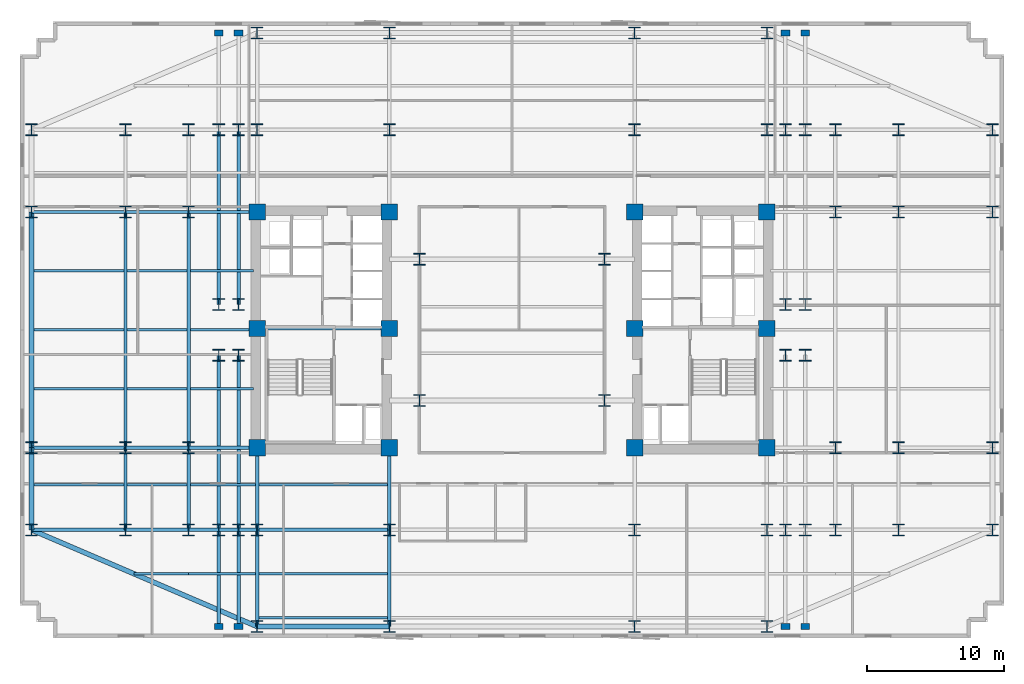
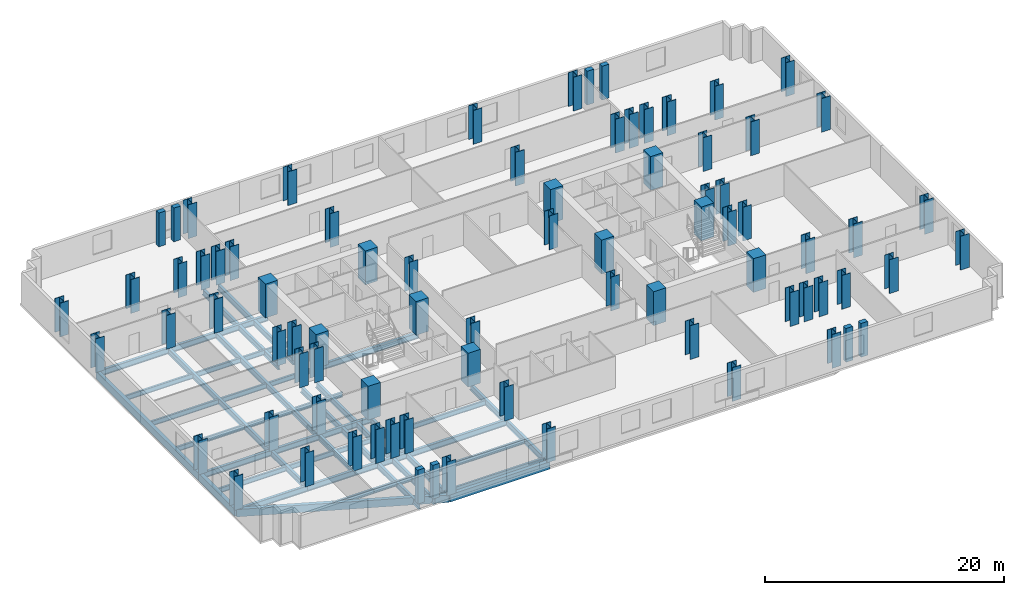
# One storey, part 1 of 10: 80 columns, 46 beams.
"""IFC4 building model written with IfcOpenShell, lengths in metres."""

from ifc_helpers import new_model, si_unit, direction, frame, origin, origin_2d, place, context, subcontext, project, spatial, rectangle, i_section, extrude, material, material_profile, profile_set, type_object, element, save


model = new_model("IFC4")

# Units and contexts
model_context = context("Model", 3, precision=1e-05, world=origin(), true_north=direction((0.0, 1.0)))
body_context = subcontext(model_context, "Body", "Model", "MODEL_VIEW")
ifc_project = project(units=[si_unit("LENGTHUNIT", "METRE"), si_unit("AREAUNIT", "SQUARE_METRE"), si_unit("VOLUMEUNIT", "CUBIC_METRE"), si_unit("PLANEANGLEUNIT", "RADIAN"), si_unit("MASSUNIT", "GRAM", prefix="KILO")], contexts=[model_context])

# Site, building, storey
site_placement = place(None, origin())
site = spatial("IfcSite", under=ifc_project, at=site_placement, CompositionType="ELEMENT")
building_placement = place(site_placement, origin())
building = spatial("IfcBuilding", under=site, at=building_placement, Name="Velakula Bourse", CompositionType="ELEMENT")
storey_placement = place(building_placement, frame((0.0, 0.0, 51.89990234375)))
storey = spatial("IfcBuildingStorey", under=building, at=storey_placement, Name="L13", CompositionType="ELEMENT", Elevation=51.89990234375)

# Columns
ifc_material_1 = material(Name="Concrete M70 (fck 70 MPa)", Category="concrete")
ifc_material_profile_1 = material_profile(ifc_material_1, rectangle(XDim=1.199951171875, YDim=1.199951171875, at=origin_2d()), Name="Concrete M70 (fck 70 MPa)")
ifc_profile_set_1 = profile_set([ifc_material_profile_1], Name="Concrete M70 (fck 70 MPa)")
column_type_1 = type_object("IfcColumnType", Name="COL-RC-1200", PredefinedType="COLUMN", material=ifc_profile_set_1)
for number, where, z_axis, x_axis, name in (
    (1, (-8.949951171875, -8.60009765625, 0.0), (0.0, 0.0, 1.0), (1.0, 0.0, 0.0), "L13 Core Boundary Column 01"),
    (2, (-8.949951171875, 0.10009765625, 0.0), (0.0, 0.0, 1.0), (1.0, 0.0, 0.0), "L13 Core Boundary Column 02"),
    (3, (-8.949951171875, 8.60009765625, 0.0), (0.0, 0.0, 1.0), (1.0, 0.0, 0.0), "L13 Core Boundary Column 03"),
    (4, (-18.60009765625, -8.60009765625, 0.0), (0.0, 0.0, 1.0), (1.0, 0.0, 0.0), "L13 Core Boundary Column 04"),
    (5, (-18.60009765625, 0.10009765625, 0.0), (0.0, 0.0, 1.0), (1.0, 0.0, 0.0), "L13 Core Boundary Column 05"),
    (6, (-18.60009765625, 8.60009765625, 0.0), (0.0, 0.0, 1.0), (1.0, 0.0, 0.0), "L13 Core Boundary Column 06"),
    (7, (8.949951171875, -8.60009765625, 0.0), (0.0, 0.0, 1.0), (1.0, 0.0, 0.0), "L13 Core Boundary Column 07"),
    (8, (8.949951171875, 0.10009765625, 0.0), (0.0, 0.0, 1.0), (1.0, 0.0, 0.0), "L13 Core Boundary Column 08"),
    (9, (8.949951171875, 8.60009765625, 0.0), (0.0, 0.0, 1.0), (1.0, 0.0, 0.0), "L13 Core Boundary Column 09"),
    (10, (18.60009765625, -8.60009765625, 0.0), (0.0, 0.0, 1.0), (1.0, 0.0, 0.0), "L13 Core Boundary Column 10"),
    (11, (18.60009765625, 0.10009765625, 0.0), (0.0, 0.0, 1.0), (1.0, 0.0, 0.0), "L13 Core Boundary Column 11"),
    (12, (18.60009765625, 8.60009765625, 0.0), (0.0, 0.0, 1.0), (1.0, 0.0, 0.0), "L13 Core Boundary Column 12"),
):
    element("IfcColumn", number, at=place(storey_placement, frame(where, z_axis=z_axis, x_axis=x_axis)), inside=storey, type_object=column_type_1, Name=name, PredefinedType="COLUMN", context=body_context, shape_type="SweptSolid", body=[
        extrude(rectangle(XDim=1.199951171875, YDim=1.199951171875, at=origin_2d()), origin(), (0.0, 0.0, 1.0), 3.4501953125),
    ])
ifc_material_2 = material(Name="Steel IS 2062 Grade 450 (E450)", Category="steel")
ifc_material_profile_2 = material_profile(ifc_material_2, i_section(OverallWidth=0.85009765625, OverallDepth=0.85009765625, WebThickness=0.031982421875, FlangeThickness=0.048095703125, at=origin_2d()), Name="Steel IS 2062 Grade 450 (E450)")
ifc_profile_set_2 = profile_set([ifc_material_profile_2], Name="Steel IS 2062 Grade 450 (E450)")
column_type_2 = type_object("IfcColumnType", Name="COL-STL-850", PredefinedType="COLUMN", material=ifc_profile_set_2)
for number, where, z_axis, x_axis, name in (
    (13, (-6.75, -5.14990234375, 0.0), (0.0, 0.0, 1.0), (1.0, 0.0, 0.0), "L13 Central Spine Column 01"),
    (14, (-6.75, 5.14990234375, 0.0), (0.0, 0.0, 1.0), (1.0, 0.0, 0.0), "L13 Central Spine Column 02"),
    (15, (6.75, -5.14990234375, 0.0), (0.0, 0.0, 1.0), (1.0, 0.0, 0.0), "L13 Central Spine Column 03"),
    (16, (6.75, 5.14990234375, 0.0), (0.0, 0.0, 1.0), (1.0, 0.0, 0.0), "L13 Central Spine Column 04"),
    (17, (-21.39990234375, -14.60009765625, 0.0), (0.0, 0.0, 1.0), (1.0, 0.0, 0.0), "L13 Tower Fulcrum Column 01"),
    (18, (-21.39990234375, 14.60009765625, 0.0), (0.0, 0.0, 1.0), (1.0, 0.0, 0.0), "L13 Tower Fulcrum Column 02"),
    (19, (-19.949951171875, -14.60009765625, 0.0), (0.0, 0.0, 1.0), (1.0, 0.0, 0.0), "L13 Tower Fulcrum Column 03"),
    (20, (-19.949951171875, 14.60009765625, 0.0), (0.0, 0.0, 1.0), (1.0, 0.0, 0.0), "L13 Tower Fulcrum Column 04"),
    (21, (-18.60009765625, -14.60009765625, 0.0), (0.0, 0.0, 1.0), (1.0, 0.0, 0.0), "L13 Tower Fulcrum Column 05"),
    (22, (-18.60009765625, 14.60009765625, 0.0), (0.0, 0.0, 1.0), (1.0, 0.0, 0.0), "L13 Tower Fulcrum Column 06"),
    (23, (-8.949951171875, -14.60009765625, 0.0), (0.0, 0.0, 1.0), (1.0, 0.0, 0.0), "L13 Tower Fulcrum Column 07"),
    (24, (-8.949951171875, 14.60009765625, 0.0), (0.0, 0.0, 1.0), (1.0, 0.0, 0.0), "L13 Tower Fulcrum Column 08"),
    (25, (8.949951171875, -14.60009765625, 0.0), (0.0, 0.0, 1.0), (1.0, 0.0, 0.0), "L13 Tower Fulcrum Column 09"),
    (26, (8.949951171875, 14.60009765625, 0.0), (0.0, 0.0, 1.0), (1.0, 0.0, 0.0), "L13 Tower Fulcrum Column 10"),
    (27, (18.60009765625, -14.60009765625, 0.0), (0.0, 0.0, 1.0), (1.0, 0.0, 0.0), "L13 Tower Fulcrum Column 11"),
    (28, (18.60009765625, 14.60009765625, 0.0), (0.0, 0.0, 1.0), (1.0, 0.0, 0.0), "L13 Tower Fulcrum Column 12"),
    (29, (19.949951171875, -14.60009765625, 0.0), (0.0, 0.0, 1.0), (1.0, 0.0, 0.0), "L13 Tower Fulcrum Column 13"),
    (30, (19.949951171875, 14.60009765625, 0.0), (0.0, 0.0, 1.0), (1.0, 0.0, 0.0), "L13 Tower Fulcrum Column 14"),
    (31, (21.39990234375, -14.60009765625, 0.0), (0.0, 0.0, 1.0), (1.0, 0.0, 0.0), "L13 Tower Fulcrum Column 15"),
    (32, (21.39990234375, 14.60009765625, 0.0), (0.0, 0.0, 1.0), (1.0, 0.0, 0.0), "L13 Tower Fulcrum Column 16"),
    (33, (-21.39990234375, -1.85009765625, 0.0), (0.0, 0.0, 1.0), (1.0, 0.0, 0.0), "L13 Tower Fulcrum Column 17"),
    (34, (-21.39990234375, 1.85009765625, 0.0), (0.0, 0.0, 1.0), (1.0, 0.0, 0.0), "L13 Tower Fulcrum Column 18"),
    (35, (-19.949951171875, -1.85009765625, 0.0), (0.0, 0.0, 1.0), (1.0, 0.0, 0.0), "L13 Tower Fulcrum Column 19"),
    (36, (-19.949951171875, 1.85009765625, 0.0), (0.0, 0.0, 1.0), (1.0, 0.0, 0.0), "L13 Tower Fulcrum Column 20"),
    (37, (19.949951171875, -1.85009765625, 0.0), (0.0, 0.0, 1.0), (1.0, 0.0, 0.0), "L13 Tower Fulcrum Column 21"),
    (38, (19.949951171875, 1.85009765625, 0.0), (0.0, 0.0, 1.0), (1.0, 0.0, 0.0), "L13 Tower Fulcrum Column 22"),
    (39, (21.39990234375, -1.85009765625, 0.0), (0.0, 0.0, 1.0), (1.0, 0.0, 0.0), "L13 Tower Fulcrum Column 23"),
    (40, (21.39990234375, 1.85009765625, 0.0), (0.0, 0.0, 1.0), (1.0, 0.0, 0.0), "L13 Tower Fulcrum Column 24"),
    (41, (-23.60009765625, -14.60009765625, 0.0), (0.0, 0.0, 1.0), (1.0, 0.0, 0.0), "L13 Mid-Wing Plumb Column 01"),
    (42, (-23.60009765625, -8.60009765625, 0.0), (0.0, 0.0, 1.0), (1.0, 0.0, 0.0), "L13 Mid-Wing Plumb Column 02"),
    (43, (-23.60009765625, 8.60009765625, 0.0), (0.0, 0.0, 1.0), (1.0, 0.0, 0.0), "L13 Mid-Wing Plumb Column 03"),
    (44, (-23.60009765625, 14.60009765625, 0.0), (0.0, 0.0, 1.0), (1.0, 0.0, 0.0), "L13 Mid-Wing Plumb Column 04"),
    (45, (23.60009765625, -14.60009765625, 0.0), (0.0, 0.0, 1.0), (1.0, 0.0, 0.0), "L13 Mid-Wing Plumb Column 05"),
    (46, (23.60009765625, -8.60009765625, 0.0), (0.0, 0.0, 1.0), (1.0, 0.0, 0.0), "L13 Mid-Wing Plumb Column 06"),
    (47, (23.60009765625, 8.60009765625, 0.0), (0.0, 0.0, 1.0), (1.0, 0.0, 0.0), "L13 Mid-Wing Plumb Column 07"),
    (48, (23.60009765625, 14.60009765625, 0.0), (0.0, 0.0, 1.0), (1.0, 0.0, 0.0), "L13 Mid-Wing Plumb Column 08"),
    (49, (-28.199951171875, -14.60009765625, 0.0), (0.0, 0.0, 1.0), (1.0, 0.0, 0.0), "L13 Lower Wing Column 01"),
    (50, (-28.199951171875, -8.60009765625, 0.0), (0.0, 0.0, 1.0), (1.0, 0.0, 0.0), "L13 Lower Wing Column 02"),
    (51, (-28.199951171875, 8.60009765625, 0.0), (0.0, 0.0, 1.0), (1.0, 0.0, 0.0), "L13 Lower Wing Column 03"),
    (52, (-28.199951171875, 14.60009765625, 0.0), (0.0, 0.0, 1.0), (1.0, 0.0, 0.0), "L13 Lower Wing Column 04"),
    (53, (28.199951171875, -14.60009765625, 0.0), (0.0, 0.0, 1.0), (1.0, 0.0, 0.0), "L13 Lower Wing Column 05"),
    (54, (28.199951171875, -8.60009765625, 0.0), (0.0, 0.0, 1.0), (1.0, 0.0, 0.0), "L13 Lower Wing Column 06"),
    (55, (28.199951171875, 8.60009765625, 0.0), (0.0, 0.0, 1.0), (1.0, 0.0, 0.0), "L13 Lower Wing Column 07"),
    (56, (28.199951171875, 14.60009765625, 0.0), (0.0, 0.0, 1.0), (1.0, 0.0, 0.0), "L13 Lower Wing Column 08"),
    (57, (-18.60009765625, -21.64990234375, 0.0), (0.0, 0.0, 1.0), (1.0, 0.0, 0.0), "L13 Block B1 Perimeter Column S1"),
    (58, (-8.949951171875, -21.64990234375, 0.0), (0.0, 0.0, 1.0), (1.0, 0.0, 0.0), "L13 Block B1 Perimeter Column S2"),
    (59, (8.949951171875, -21.64990234375, 0.0), (0.0, 0.0, 1.0), (1.0, 0.0, 0.0), "L13 Block B1 Perimeter Column S3"),
    (60, (18.60009765625, -21.64990234375, 0.0), (0.0, 0.0, 1.0), (1.0, 0.0, 0.0), "L13 Block B1 Perimeter Column S4"),
    (61, (-18.60009765625, 21.64990234375, 0.0), (0.0, 0.0, 1.0), (1.0, 0.0, 0.0), "L13 Block B1 Perimeter Column N1"),
    (62, (-8.949951171875, 21.64990234375, 0.0), (0.0, 0.0, 1.0), (1.0, 0.0, 0.0), "L13 Block B1 Perimeter Column N2"),
    (63, (8.949951171875, 21.64990234375, 0.0), (0.0, 0.0, 1.0), (1.0, 0.0, 0.0), "L13 Block B1 Perimeter Column N3"),
    (64, (18.60009765625, 21.64990234375, 0.0), (0.0, 0.0, 1.0), (1.0, 0.0, 0.0), "L13 Block B1 Perimeter Column N4"),
    (65, (-35.050048828125, -14.60009765625, 0.0), (0.0, 0.0, 1.0), (1.0, 0.0, 0.0), "L13 Block B1 Perimeter Column W1"),
    (66, (-35.050048828125, -8.60009765625, 0.0), (0.0, 0.0, 1.0), (1.0, 0.0, 0.0), "L13 Block B1 Perimeter Column W2"),
    (67, (-35.050048828125, 8.60009765625, 0.0), (0.0, 0.0, 1.0), (1.0, 0.0, 0.0), "L13 Block B1 Perimeter Column W3"),
    (68, (-35.050048828125, 14.60009765625, 0.0), (0.0, 0.0, 1.0), (1.0, 0.0, 0.0), "L13 Block B1 Perimeter Column W4"),
    (69, (35.050048828125, -14.60009765625, 0.0), (0.0, 0.0, 1.0), (1.0, 0.0, 0.0), "L13 Block B1 Perimeter Column E1"),
    (70, (35.050048828125, -8.60009765625, 0.0), (0.0, 0.0, 1.0), (1.0, 0.0, 0.0), "L13 Block B1 Perimeter Column E2"),
    (71, (35.050048828125, 8.60009765625, 0.0), (0.0, 0.0, 1.0), (1.0, 0.0, 0.0), "L13 Block B1 Perimeter Column E3"),
    (72, (35.050048828125, 14.60009765625, 0.0), (0.0, 0.0, 1.0), (1.0, 0.0, 0.0), "L13 Block B1 Perimeter Column E4"),
):
    element("IfcColumn", number, at=place(storey_placement, frame(where, z_axis=z_axis, x_axis=x_axis)), inside=storey, type_object=column_type_2, Name=name, PredefinedType="COLUMN", context=body_context, shape_type="SweptSolid", body=[
        extrude(i_section(OverallWidth=0.85009765625, OverallDepth=0.85009765625, WebThickness=0.031982421875, FlangeThickness=0.048095703125, at=origin_2d()), origin(), (0.0, 0.0, 1.0), 3.4501953125),
    ])
ifc_material_3 = material(Name="Precast concrete M45 (fck 45 MPa)", Category="concrete")
ifc_material_profile_3 = material_profile(ifc_material_3, rectangle(XDim=0.64990234375, YDim=0.449951171875, at=origin_2d()), Name="Precast concrete M45 (fck 45 MPa)")
ifc_profile_set_3 = profile_set([ifc_material_profile_3], Name="Precast concrete M45 (fck 45 MPa)")
column_type_3 = type_object("IfcColumnType", Name="PIL-BRICK-650", PredefinedType="PILASTER", material=ifc_profile_set_3)
for number, where, z_axis, x_axis, name in (
    (73, (-21.39990234375, -21.64990234375, 0.0), (0.0, 0.0, 1.0), (1.0, 0.0, 0.0), "L13 Brick Pier Pilaster 01"),
    (74, (-19.949951171875, -21.64990234375, 0.0), (0.0, 0.0, 1.0), (1.0, 0.0, 0.0), "L13 Brick Pier Pilaster 02"),
    (75, (19.949951171875, -21.64990234375, 0.0), (0.0, 0.0, 1.0), (1.0, 0.0, 0.0), "L13 Brick Pier Pilaster 03"),
    (76, (21.39990234375, -21.64990234375, 0.0), (0.0, 0.0, 1.0), (1.0, 0.0, 0.0), "L13 Brick Pier Pilaster 04"),
    (77, (-21.39990234375, 21.64990234375, 0.0), (0.0, 0.0, 1.0), (1.0, 0.0, 0.0), "L13 Brick Pier Pilaster 05"),
    (78, (-19.949951171875, 21.64990234375, 0.0), (0.0, 0.0, 1.0), (1.0, 0.0, 0.0), "L13 Brick Pier Pilaster 06"),
    (79, (19.949951171875, 21.64990234375, 0.0), (0.0, 0.0, 1.0), (1.0, 0.0, 0.0), "L13 Brick Pier Pilaster 07"),
    (80, (21.39990234375, 21.64990234375, 0.0), (0.0, 0.0, 1.0), (1.0, 0.0, 0.0), "L13 Brick Pier Pilaster 08"),
):
    element("IfcColumn", number, at=place(storey_placement, frame(where, z_axis=z_axis, x_axis=x_axis)), inside=storey, type_object=column_type_3, Name=name, PredefinedType="PILASTER", context=body_context, shape_type="SweptSolid", body=[
        extrude(rectangle(XDim=0.64990234375, YDim=0.449951171875, at=origin_2d()), origin(), (0.0, 0.0, 1.0), 3.4501953125),
    ])

# Beams
ifc_material_4 = material(Name="Steel IS 2062 Grade 350 (E350)", Category="steel")
ifc_material_profile_4 = material_profile(ifc_material_4, i_section(OverallWidth=0.25, OverallDepth=0.60009765625, WebThickness=0.01171875, FlangeThickness=0.023681640625, at=origin_2d()), Name="Steel IS 2062 Grade 350 (E350)")
ifc_profile_set_4 = profile_set([ifc_material_profile_4], Name="Steel IS 2062 Grade 350 (E350)")
beam_type_1 = type_object("IfcBeamType", Name="BM-GRD-600H", PredefinedType="BEAM", material=ifc_profile_set_4)
beam_1_placement = place(storey_placement, frame((-18.60009765625, 0.10009765625, -0.47998046875), z_axis=(1.0, 0.0, 0.0), x_axis=(0.0, 1.0, 0.0)))
element("IfcBeam", 81, at=beam_1_placement, inside=storey, type_object=beam_type_1, Name="L13 Primary Backbone Girder CRW-M", PredefinedType="BEAM", context=body_context, shape_type="SweptSolid", body=[
    extrude(i_section(OverallWidth=0.25, OverallDepth=0.60009765625, WebThickness=0.01171875, FlangeThickness=0.023681640625, at=origin_2d()), origin(), (0.0, 0.0, 1.0), 9.650146484375),
])
for number, where, z_axis, x_axis, name in (
    (82, (-18.60009765625, -14.60009765625, -0.47998046875), (0.0, 1.0, 0.0), (-1.0, 0.0, 0.0), "L13 Fulcrum Grid Girder FLC-WS"),
    (83, (-8.949951171875, -14.60009765625, -0.47998046875), (0.0, 1.0, 0.0), (-1.0, 0.0, 0.0), "L13 Fulcrum Grid Girder FLC-WCS"),
):
    element("IfcBeam", number, at=place(storey_placement, frame(where, z_axis=z_axis, x_axis=x_axis)), inside=storey, type_object=beam_type_1, Name=name, PredefinedType="BEAM", context=body_context, shape_type="SweptSolid", body=[
        extrude(i_section(OverallWidth=0.25, OverallDepth=0.60009765625, WebThickness=0.01171875, FlangeThickness=0.023681640625, at=origin_2d()), origin(), (0.0, 0.0, 1.0), 6.0),
    ])
beam_2_placement = place(storey_placement, frame((-18.60009765625, -14.60009765625, -0.47998046875), z_axis=(1.0, 0.0, 0.0), x_axis=(0.0, 1.0, 0.0)))
element("IfcBeam", 84, at=beam_2_placement, inside=storey, type_object=beam_type_1, Name="L13 Fulcrum Grid Girder FLC-S1", PredefinedType="BEAM", context=body_context, shape_type="SweptSolid", body=[
    extrude(i_section(OverallWidth=0.25, OverallDepth=0.60009765625, WebThickness=0.01171875, FlangeThickness=0.023681640625, at=origin_2d()), origin(), (0.0, 0.0, 1.0), 9.650146484375),
])
for number, where, z_axis, x_axis, name in (
    (85, (-21.39990234375, -14.60009765625, -0.47998046875), (0.0, 1.0, 0.0), (-1.0, 0.0, 0.0), "L13 Fulcrum Grid Girder FLC-PSW1"),
    (86, (-21.39990234375, 1.85009765625, -0.47998046875), (0.0, 1.0, 0.0), (-1.0, 0.0, 0.0), "L13 Fulcrum Grid Girder FLC-PNW1"),
    (87, (-19.949951171875, -14.60009765625, -0.47998046875), (0.0, 1.0, 0.0), (-1.0, 0.0, 0.0), "L13 Fulcrum Grid Girder FLC-PSW2"),
    (88, (-19.949951171875, 1.85009765625, -0.47998046875), (0.0, 1.0, 0.0), (-1.0, 0.0, 0.0), "L13 Fulcrum Grid Girder FLC-PNW2"),
):
    element("IfcBeam", number, at=place(storey_placement, frame(where, z_axis=z_axis, x_axis=x_axis)), inside=storey, type_object=beam_type_1, Name=name, PredefinedType="BEAM", context=body_context, shape_type="SweptSolid", body=[
        extrude(i_section(OverallWidth=0.25, OverallDepth=0.60009765625, WebThickness=0.01171875, FlangeThickness=0.023681640625, at=origin_2d()), origin(), (0.0, 0.0, 1.0), 12.75),
    ])
for number, where, z_axis, x_axis, name in (
    (89, (-23.60009765625, -14.60009765625, -0.47998046875), (1.0, 0.0, 0.0), (0.0, 1.0, 0.0), "L13 Fulcrum Grid Girder MWG-WS1"),
    (90, (-23.60009765625, -8.60009765625, -0.47998046875), (1.0, 0.0, 0.0), (0.0, 1.0, 0.0), "L13 Fulcrum Grid Girder MWG-WS2"),
    (91, (-23.60009765625, 8.60009765625, -0.47998046875), (1.0, 0.0, 0.0), (0.0, 1.0, 0.0), "L13 Fulcrum Grid Girder MWG-WN1"),
):
    element("IfcBeam", number, at=place(storey_placement, frame(where, z_axis=z_axis, x_axis=x_axis)), inside=storey, type_object=beam_type_1, Name=name, PredefinedType="BEAM", context=body_context, shape_type="SweptSolid", body=[
        extrude(i_section(OverallWidth=0.25, OverallDepth=0.60009765625, WebThickness=0.01171875, FlangeThickness=0.023681640625, at=origin_2d()), origin(), (0.0, 0.0, 1.0), 5.0),
    ])
beam_3_placement = place(storey_placement, frame((-23.60009765625, -14.60009765625, -0.47998046875), z_axis=(0.0, 1.0, 0.0), x_axis=(-1.0, 0.0, 0.0)))
element("IfcBeam", 92, at=beam_3_placement, inside=storey, type_object=beam_type_1, Name="L13 Fulcrum Grid Girder MWG-WNS1", PredefinedType="BEAM", context=body_context, shape_type="SweptSolid", body=[
    extrude(i_section(OverallWidth=0.25, OverallDepth=0.60009765625, WebThickness=0.01171875, FlangeThickness=0.023681640625, at=origin_2d()), origin(), (0.0, 0.0, 1.0), 6.0),
])
beam_4_placement = place(storey_placement, frame((-23.60009765625, -8.60009765625, -0.47998046875), z_axis=(0.0, 1.0, 0.0), x_axis=(-1.0, 0.0, 0.0)))
element("IfcBeam", 93, at=beam_4_placement, inside=storey, type_object=beam_type_1, Name="L13 Fulcrum Grid Girder MWG-WNS2", PredefinedType="BEAM", context=body_context, shape_type="SweptSolid", body=[
    extrude(i_section(OverallWidth=0.25, OverallDepth=0.60009765625, WebThickness=0.01171875, FlangeThickness=0.023681640625, at=origin_2d()), origin(), (0.0, 0.0, 1.0), 17.2001953125),
])
for number, where, z_axis, x_axis, name in (
    (94, (-28.199951171875, -14.60009765625, -0.47998046875), (1.0, 0.0, 0.0), (0.0, 1.0, 0.0), "L13 Fulcrum Grid Girder WNG-WS1"),
    (95, (-28.199951171875, -8.60009765625, -0.47998046875), (1.0, 0.0, 0.0), (0.0, 1.0, 0.0), "L13 Fulcrum Grid Girder WNG-WS2"),
    (96, (-28.199951171875, 8.60009765625, -0.47998046875), (1.0, 0.0, 0.0), (0.0, 1.0, 0.0), "L13 Fulcrum Grid Girder WNG-WN1"),
):
    element("IfcBeam", number, at=place(storey_placement, frame(where, z_axis=z_axis, x_axis=x_axis)), inside=storey, type_object=beam_type_1, Name=name, PredefinedType="BEAM", context=body_context, shape_type="SweptSolid", body=[
        extrude(i_section(OverallWidth=0.25, OverallDepth=0.60009765625, WebThickness=0.01171875, FlangeThickness=0.023681640625, at=origin_2d()), origin(), (0.0, 0.0, 1.0), 4.599853515625),
    ])
beam_5_placement = place(storey_placement, frame((-28.199951171875, -14.60009765625, -0.47998046875), z_axis=(0.0, 1.0, 0.0), x_axis=(-1.0, 0.0, 0.0)))
element("IfcBeam", 97, at=beam_5_placement, inside=storey, type_object=beam_type_1, Name="L13 Fulcrum Grid Girder WNG-WNS1", PredefinedType="BEAM", context=body_context, shape_type="SweptSolid", body=[
    extrude(i_section(OverallWidth=0.25, OverallDepth=0.60009765625, WebThickness=0.01171875, FlangeThickness=0.023681640625, at=origin_2d()), origin(), (0.0, 0.0, 1.0), 6.0),
])
beam_6_placement = place(storey_placement, frame((-28.199951171875, -8.60009765625, -0.47998046875), z_axis=(0.0, 1.0, 0.0), x_axis=(-1.0, 0.0, 0.0)))
element("IfcBeam", 98, at=beam_6_placement, inside=storey, type_object=beam_type_1, Name="L13 Fulcrum Grid Girder WNG-WNS2", PredefinedType="BEAM", context=body_context, shape_type="SweptSolid", body=[
    extrude(i_section(OverallWidth=0.25, OverallDepth=0.60009765625, WebThickness=0.01171875, FlangeThickness=0.023681640625, at=origin_2d()), origin(), (0.0, 0.0, 1.0), 17.2001953125),
])
for number, where, z_axis, x_axis, name in (
    (99, (-18.60009765625, -14.60009765625, -0.47998046875), (0.0, -1.0, 0.0), (1.0, 0.0, 0.0), "L13 Perimeter Tie Girder S1"),
    (100, (-8.949951171875, -14.60009765625, -0.47998046875), (0.0, -1.0, 0.0), (1.0, 0.0, 0.0), "L13 Perimeter Tie Girder S2"),
):
    element("IfcBeam", number, at=place(storey_placement, frame(where, z_axis=z_axis, x_axis=x_axis)), inside=storey, type_object=beam_type_1, Name=name, PredefinedType="BEAM", context=body_context, shape_type="SweptSolid", body=[
        extrude(i_section(OverallWidth=0.25, OverallDepth=0.60009765625, WebThickness=0.01171875, FlangeThickness=0.023681640625, at=origin_2d()), origin(), (0.0, 0.0, 1.0), 7.0498046875),
    ])
for number, where, z_axis, x_axis, name in (
    (101, (-28.199951171875, -14.60009765625, -0.47998046875), (-1.0, 0.0, 0.0), (0.0, -1.0, 0.0), "L13 Perimeter Tie Girder W1"),
    (102, (-28.199951171875, -8.60009765625, -0.47998046875), (-1.0, 0.0, 0.0), (0.0, -1.0, 0.0), "L13 Perimeter Tie Girder W2"),
    (103, (-28.199951171875, 8.60009765625, -0.47998046875), (-1.0, 0.0, 0.0), (0.0, -1.0, 0.0), "L13 Perimeter Tie Girder W3"),
):
    element("IfcBeam", number, at=place(storey_placement, frame(where, z_axis=z_axis, x_axis=x_axis)), inside=storey, type_object=beam_type_1, Name=name, PredefinedType="BEAM", context=body_context, shape_type="SweptSolid", body=[
        extrude(i_section(OverallWidth=0.25, OverallDepth=0.60009765625, WebThickness=0.01171875, FlangeThickness=0.023681640625, at=origin_2d()), origin(), (0.0, 0.0, 1.0), 6.85009765625),
    ])
for number, where, z_axis, x_axis, name in (
    (104, (-21.39990234375, -14.60009765625, -0.47998046875), (0.0, -1.0, 0.0), (1.0, 0.0, 0.0), "L13 Perimeter Tie Girder P01"),
    (105, (-19.949951171875, -14.60009765625, -0.47998046875), (0.0, -1.0, 0.0), (1.0, 0.0, 0.0), "L13 Perimeter Tie Girder P02"),
):
    element("IfcBeam", number, at=place(storey_placement, frame(where, z_axis=z_axis, x_axis=x_axis)), inside=storey, type_object=beam_type_1, Name=name, PredefinedType="BEAM", context=body_context, shape_type="SweptSolid", body=[
        extrude(i_section(OverallWidth=0.25, OverallDepth=0.60009765625, WebThickness=0.01171875, FlangeThickness=0.023681640625, at=origin_2d()), origin(), (0.0, 0.0, 1.0), 7.0498046875),
    ])
ifc_material_profile_5 = material_profile(ifc_material_4, i_section(OverallWidth=0.179931640625, OverallDepth=0.5, WebThickness=0.01025390625, FlangeThickness=0.01708984375, at=origin_2d()), Name="Steel IS 2062 Grade 350 (E350)")
ifc_profile_set_5 = profile_set([ifc_material_profile_5], Name="Steel IS 2062 Grade 350 (E350)")
beam_type_2 = type_object("IfcBeamType", Name="JST-TWR-500", PredefinedType="JOIST", material=ifc_profile_set_5)
beam_7_placement = place(storey_placement, frame((-18.47509765625, -21.0, -0.429931640625), z_axis=(1.0, 0.0, 0.0), x_axis=(0.0, 1.0, 0.0)))
element("IfcBeam", 106, at=beam_7_placement, inside=storey, type_object=beam_type_2, Name="L13 Trading Floor Composite Joist 01", PredefinedType="JOIST", context=body_context, shape_type="SweptSolid", body=[
    extrude(i_section(OverallWidth=0.179931640625, OverallDepth=0.5, WebThickness=0.01025390625, FlangeThickness=0.01708984375, at=origin_2d()), origin(), (0.0, 0.0, 1.0), 9.400146484375),
])
beam_8_placement = place(storey_placement, frame((-27.583251953125, -17.800048828125, -0.429931640625), z_axis=(1.0, 0.0, 0.0), x_axis=(0.0, 1.0, 0.0)))
element("IfcBeam", 107, at=beam_8_placement, inside=storey, type_object=beam_type_2, Name="L13 Trading Floor Composite Joist 04", PredefinedType="JOIST", context=body_context, shape_type="SweptSolid", body=[
    extrude(i_section(OverallWidth=0.179931640625, OverallDepth=0.5, WebThickness=0.01025390625, FlangeThickness=0.01708984375, at=origin_2d()), origin(), (0.0, 0.0, 1.0), 3.983154296875),
])
beam_9_placement = place(storey_placement, frame((-23.60009765625, -17.800048828125, -0.429931640625), z_axis=(1.0, 0.0, 0.0), x_axis=(0.0, 1.0, 0.0)))
element("IfcBeam", 108, at=beam_9_placement, inside=storey, type_object=beam_type_2, Name="L13 Trading Floor Composite Joist 05", PredefinedType="JOIST", context=body_context, shape_type="SweptSolid", body=[
    extrude(i_section(OverallWidth=0.179931640625, OverallDepth=0.5, WebThickness=0.01025390625, FlangeThickness=0.01708984375, at=origin_2d()), origin(), (0.0, 0.0, 1.0), 4.875),
])
beam_10_placement = place(storey_placement, frame((-18.47509765625, -17.800048828125, -0.429931640625), z_axis=(1.0, 0.0, 0.0), x_axis=(0.0, 1.0, 0.0)))
element("IfcBeam", 109, at=beam_10_placement, inside=storey, type_object=beam_type_2, Name="L13 Trading Floor Composite Joist 06", PredefinedType="JOIST", context=body_context, shape_type="SweptSolid", body=[
    extrude(i_section(OverallWidth=0.179931640625, OverallDepth=0.5, WebThickness=0.01025390625, FlangeThickness=0.01708984375, at=origin_2d()), origin(), (0.0, 0.0, 1.0), 9.400146484375),
])
beam_11_placement = place(storey_placement, frame((-34.875, -11.300048828125, -0.429931640625), z_axis=(1.0, 0.0, 0.0), x_axis=(0.0, 1.0, 0.0)))
element("IfcBeam", 110, at=beam_11_placement, inside=storey, type_object=beam_type_2, Name="L13 Trading Floor Composite Joist 11", PredefinedType="JOIST", context=body_context, shape_type="SweptSolid", body=[
    extrude(i_section(OverallWidth=0.179931640625, OverallDepth=0.5, WebThickness=0.01025390625, FlangeThickness=0.01708984375, at=origin_2d()), origin(), (0.0, 0.0, 1.0), 6.550048828125),
])
beam_12_placement = place(storey_placement, frame((-28.074951171875, -11.300048828125, -0.429931640625), z_axis=(1.0, 0.0, 0.0), x_axis=(0.0, 1.0, 0.0)))
element("IfcBeam", 111, at=beam_12_placement, inside=storey, type_object=beam_type_2, Name="L13 Trading Floor Composite Joist 12", PredefinedType="JOIST", context=body_context, shape_type="SweptSolid", body=[
    extrude(i_section(OverallWidth=0.179931640625, OverallDepth=0.5, WebThickness=0.01025390625, FlangeThickness=0.01708984375, at=origin_2d()), origin(), (0.0, 0.0, 1.0), 4.349853515625),
])
beam_13_placement = place(storey_placement, frame((-23.47509765625, -11.300048828125, -0.429931640625), z_axis=(1.0, 0.0, 0.0), x_axis=(0.0, 1.0, 0.0)))
element("IfcBeam", 112, at=beam_13_placement, inside=storey, type_object=beam_type_2, Name="L13 Trading Floor Composite Joist 13", PredefinedType="JOIST", context=body_context, shape_type="SweptSolid", body=[
    extrude(i_section(OverallWidth=0.179931640625, OverallDepth=0.5, WebThickness=0.01025390625, FlangeThickness=0.01708984375, at=origin_2d()), origin(), (0.0, 0.0, 1.0), 4.75),
])
beam_14_placement = place(storey_placement, frame((-18.47509765625, -11.300048828125, -0.429931640625), z_axis=(1.0, 0.0, 0.0), x_axis=(0.0, 1.0, 0.0)))
element("IfcBeam", 113, at=beam_14_placement, inside=storey, type_object=beam_type_2, Name="L13 Trading Floor Composite Joist 14", PredefinedType="JOIST", context=body_context, shape_type="SweptSolid", body=[
    extrude(i_section(OverallWidth=0.179931640625, OverallDepth=0.5, WebThickness=0.01025390625, FlangeThickness=0.01708984375, at=origin_2d()), origin(), (0.0, 0.0, 1.0), 9.400146484375),
])
beam_15_placement = place(storey_placement, frame((-34.875, -4.300048828125, -0.429931640625), z_axis=(1.0, 0.0, 0.0), x_axis=(0.0, 1.0, 0.0)))
element("IfcBeam", 114, at=beam_15_placement, inside=storey, type_object=beam_type_2, Name="L13 Trading Floor Composite Joist 41", PredefinedType="JOIST", context=body_context, shape_type="SweptSolid", body=[
    extrude(i_section(OverallWidth=0.179931640625, OverallDepth=0.5, WebThickness=0.01025390625, FlangeThickness=0.01708984375, at=origin_2d()), origin(), (0.0, 0.0, 1.0), 6.550048828125),
])
beam_16_placement = place(storey_placement, frame((-28.074951171875, -4.300048828125, -0.429931640625), z_axis=(1.0, 0.0, 0.0), x_axis=(0.0, 1.0, 0.0)))
element("IfcBeam", 115, at=beam_16_placement, inside=storey, type_object=beam_type_2, Name="L13 Trading Floor Composite Joist 42", PredefinedType="JOIST", context=body_context, shape_type="SweptSolid", body=[
    extrude(i_section(OverallWidth=0.179931640625, OverallDepth=0.5, WebThickness=0.01025390625, FlangeThickness=0.01708984375, at=origin_2d()), origin(), (0.0, 0.0, 1.0), 4.349853515625),
])
beam_17_placement = place(storey_placement, frame((-23.47509765625, -4.300048828125, -0.429931640625), z_axis=(1.0, 0.0, 0.0), x_axis=(0.0, 1.0, 0.0)))
element("IfcBeam", 116, at=beam_17_placement, inside=storey, type_object=beam_type_2, Name="L13 Trading Floor Composite Joist 43", PredefinedType="JOIST", context=body_context, shape_type="SweptSolid", body=[
    extrude(i_section(OverallWidth=0.179931640625, OverallDepth=0.5, WebThickness=0.01025390625, FlangeThickness=0.01708984375, at=origin_2d()), origin(), (0.0, 0.0, 1.0), 4.625),
])
beam_18_placement = place(storey_placement, frame((-34.875, 0.0, -0.429931640625), z_axis=(1.0, 0.0, 0.0), x_axis=(0.0, 1.0, 0.0)))
element("IfcBeam", 117, at=beam_18_placement, inside=storey, type_object=beam_type_2, Name="L13 Trading Floor Composite Joist 47", PredefinedType="JOIST", context=body_context, shape_type="SweptSolid", body=[
    extrude(i_section(OverallWidth=0.179931640625, OverallDepth=0.5, WebThickness=0.01025390625, FlangeThickness=0.01708984375, at=origin_2d()), origin(), (0.0, 0.0, 1.0), 6.550048828125),
])
beam_19_placement = place(storey_placement, frame((-28.074951171875, 0.0, -0.429931640625), z_axis=(1.0, 0.0, 0.0), x_axis=(0.0, 1.0, 0.0)))
element("IfcBeam", 118, at=beam_19_placement, inside=storey, type_object=beam_type_2, Name="L13 Trading Floor Composite Joist 48", PredefinedType="JOIST", context=body_context, shape_type="SweptSolid", body=[
    extrude(i_section(OverallWidth=0.179931640625, OverallDepth=0.5, WebThickness=0.01025390625, FlangeThickness=0.01708984375, at=origin_2d()), origin(), (0.0, 0.0, 1.0), 4.349853515625),
])
beam_20_placement = place(storey_placement, frame((-23.47509765625, 0.0, -0.429931640625), z_axis=(1.0, 0.0, 0.0), x_axis=(0.0, 1.0, 0.0)))
element("IfcBeam", 119, at=beam_20_placement, inside=storey, type_object=beam_type_2, Name="L13 Trading Floor Composite Joist 49", PredefinedType="JOIST", context=body_context, shape_type="SweptSolid", body=[
    extrude(i_section(OverallWidth=0.179931640625, OverallDepth=0.5, WebThickness=0.01025390625, FlangeThickness=0.01708984375, at=origin_2d()), origin(), (0.0, 0.0, 1.0), 4.625),
])
beam_21_placement = place(storey_placement, frame((-34.875, 4.300048828125, -0.429931640625), z_axis=(1.0, 0.0, 0.0), x_axis=(0.0, 1.0, 0.0)))
element("IfcBeam", 120, at=beam_21_placement, inside=storey, type_object=beam_type_2, Name="L13 Trading Floor Composite Joist 53", PredefinedType="JOIST", context=body_context, shape_type="SweptSolid", body=[
    extrude(i_section(OverallWidth=0.179931640625, OverallDepth=0.5, WebThickness=0.01025390625, FlangeThickness=0.01708984375, at=origin_2d()), origin(), (0.0, 0.0, 1.0), 6.550048828125),
])
beam_22_placement = place(storey_placement, frame((-28.074951171875, 4.300048828125, -0.429931640625), z_axis=(1.0, 0.0, 0.0), x_axis=(0.0, 1.0, 0.0)))
element("IfcBeam", 121, at=beam_22_placement, inside=storey, type_object=beam_type_2, Name="L13 Trading Floor Composite Joist 54", PredefinedType="JOIST", context=body_context, shape_type="SweptSolid", body=[
    extrude(i_section(OverallWidth=0.179931640625, OverallDepth=0.5, WebThickness=0.01025390625, FlangeThickness=0.01708984375, at=origin_2d()), origin(), (0.0, 0.0, 1.0), 4.349853515625),
])
beam_23_placement = place(storey_placement, frame((-23.47509765625, 4.300048828125, -0.429931640625), z_axis=(1.0, 0.0, 0.0), x_axis=(0.0, 1.0, 0.0)))
element("IfcBeam", 122, at=beam_23_placement, inside=storey, type_object=beam_type_2, Name="L13 Trading Floor Composite Joist 55", PredefinedType="JOIST", context=body_context, shape_type="SweptSolid", body=[
    extrude(i_section(OverallWidth=0.179931640625, OverallDepth=0.5, WebThickness=0.01025390625, FlangeThickness=0.01708984375, at=origin_2d()), origin(), (0.0, 0.0, 1.0), 4.625),
])
ifc_material_profile_6 = material_profile(ifc_material_3, rectangle(XDim=0.35009765625, YDim=0.75, at=origin_2d()), Name="Precast concrete M45 (fck 45 MPa)")
ifc_profile_set_6 = profile_set([ifc_material_profile_6], Name="Precast concrete M45 (fck 45 MPa)")
beam_type_3 = type_object("IfcBeamType", Name="SPN-BRICK-750", PredefinedType="SPANDREL", material=ifc_profile_set_6)
beam_24_placement = place(storey_placement, frame((-18.60009765625, -21.64990234375, -0.554931640625), z_axis=(1.0, 0.0, 0.0), x_axis=(0.0, 1.0, 0.0)))
element("IfcBeam", 123, at=beam_24_placement, inside=storey, type_object=beam_type_3, Name="L13 Brick-Faced Precast Spandrel S1-S2", PredefinedType="SPANDREL", context=body_context, shape_type="SweptSolid", body=[
    extrude(rectangle(XDim=0.35009765625, YDim=0.75, at=origin_2d()), origin(), (0.0, 0.0, 1.0), 9.650146484375),
])
beam_25_placement = place(storey_placement, frame((-35.050048828125, -14.60009765625, -0.554931640625), z_axis=(0.0, 1.0, 0.0), x_axis=(-1.0, 0.0, 0.0)))
element("IfcBeam", 124, at=beam_25_placement, inside=storey, type_object=beam_type_3, Name="L13 Brick-Faced Precast Spandrel W1-W2", PredefinedType="SPANDREL", context=body_context, shape_type="SweptSolid", body=[
    extrude(rectangle(XDim=0.35009765625, YDim=0.75, at=origin_2d()), origin(), (0.0, 0.0, 1.0), 6.0),
])
beam_26_placement = place(storey_placement, frame((-35.050048828125, -8.60009765625, -0.554931640625), z_axis=(0.0, 1.0, 0.0), x_axis=(-1.0, 0.0, 0.0)))
element("IfcBeam", 125, at=beam_26_placement, inside=storey, type_object=beam_type_3, Name="L13 Brick-Faced Precast Spandrel W2-W3", PredefinedType="SPANDREL", context=body_context, shape_type="SweptSolid", body=[
    extrude(rectangle(XDim=0.35009765625, YDim=0.75, at=origin_2d()), origin(), (0.0, 0.0, 1.0), 17.2001953125),
])
beam_27_placement = place(storey_placement, frame((-35.050048828125, -14.60009765625, -0.554931640625), z_axis=(0.919148557947, -0.393911066642, 0.0), x_axis=(0.393911066642, 0.919148557947, 0.0)))
element("IfcBeam", 126, at=beam_27_placement, inside=storey, type_object=beam_type_3, Name="L13 Brick-Faced Precast Spandrel W1-S1", PredefinedType="SPANDREL", context=body_context, shape_type="SweptSolid", body=[
    extrude(rectangle(XDim=0.35009765625, YDim=0.75, at=origin_2d()), origin(), (0.0, 0.0, 1.0), 17.89697265625),
])

save(model, "model.ifc")
